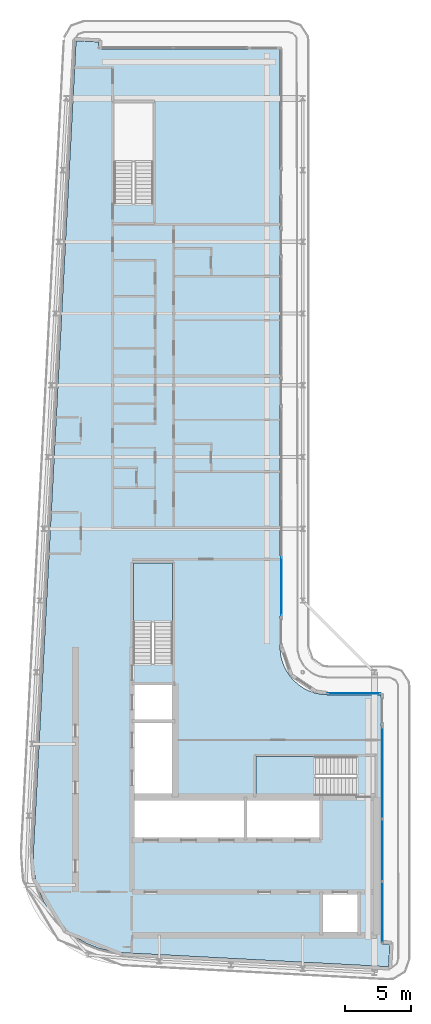
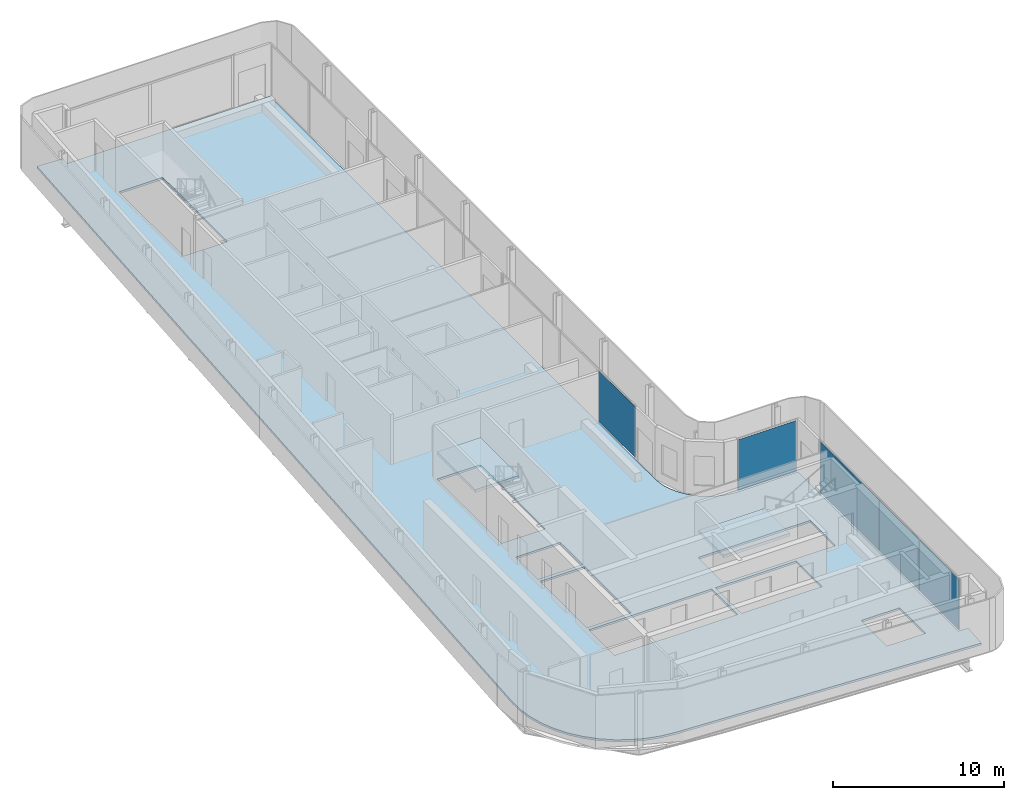
# One storey, part 7 of 19: 5 plates, 3 slabs, 6 elements without a shape of their own.
"""IFC4 building model written with IfcOpenShell, lengths in metres."""

from ifc_helpers import new_model, si_unit, direction, frame, origin, origin_2d, place, context, subcontext, project, spatial, polyline, rectangle, outline, extrude, material, layer, layer_set, type_object, element, aggregate, save


model = new_model("IFC4")

# Units and contexts
model_context = context("Model", 3, precision=1e-05, world=origin(), true_north=direction((0.0, 1.0)))
body_context = subcontext(model_context, "Body", "Model", "MODEL_VIEW")
ifc_project = project(units=[si_unit("LENGTHUNIT", "METRE"), si_unit("AREAUNIT", "SQUARE_METRE"), si_unit("VOLUMEUNIT", "CUBIC_METRE"), si_unit("PLANEANGLEUNIT", "RADIAN"), si_unit("MASSUNIT", "GRAM", prefix="KILO")], contexts=[model_context])

# Site, building, storey
site_placement = place(None, origin())
site = spatial("IfcSite", under=ifc_project, at=site_placement, CompositionType="ELEMENT")
building_placement = place(site_placement, origin())
building = spatial("IfcBuilding", under=site, at=building_placement, Name="Kheshtan School and Residences Tower", CompositionType="ELEMENT")
storey_placement = place(building_placement, frame((0.0, 0.0, 350.0)))
storey = spatial("IfcBuildingStorey", under=building, at=storey_placement, Name="L82", CompositionType="ELEMENT", Elevation=350.0)

# Curtain wall, plate
ifc_material_1 = material(Name="Clear low-e glass in thermally broken aluminium frame", Category="aluminium")
ifc_layer_1 = layer(ifc_material_1, 0.199951171875)
ifc_layer_set_1 = layer_set([ifc_layer_1], Name="Curtain wall CW-B")
curtain_wall_type_1 = type_object("IfcCurtainWallType", Name="Curtain wall CW-B", PredefinedType="NOTDEFINED", material=ifc_layer_set_1)
curtain_wall_1_placement = place(storey_placement, origin())
curtain_wall_1 = element("IfcCurtainWall", 1, at=curtain_wall_1_placement, inside=storey, type_object=curtain_wall_type_1, Name="Curtain wall CWB8", PredefinedType="NOTDEFINED")
ifc_layer_2 = layer(ifc_material_1, 0.031982421875)
ifc_layer_set_2 = layer_set([ifc_layer_2], Name="CW-B glass panel")
plate_type_1 = type_object("IfcPlateType", Name="CW-B glass panel", PredefinedType="CURTAIN_PANEL", material=ifc_layer_set_2)
plate_1_placement = place(storey_placement, frame((51.465087890625, 44.0, 0.0), z_axis=(0.0, 0.0, 1.0), x_axis=(1.0, 0.0, 0.0)))
plate_1 = element("IfcPlate", 2, at=plate_1_placement, type_object=plate_type_1, Name="CWB8 panel 1.1", PredefinedType="CURTAIN_PANEL", context=body_context, shape_type="SweptSolid", body=[
    extrude(rectangle(XDim=3.949951171875, YDim=0.031982421875, at=origin_2d()), origin(), (0.0, 0.0, 1.0), 3.6298828125),
])
aggregate(curtain_wall_1, [plate_1])

ifc_layer_3 = layer(ifc_material_1, 0.199951171875)
ifc_layer_set_3 = layer_set([ifc_layer_3], Name="Curtain wall CW-L")
curtain_wall_type_2 = type_object("IfcCurtainWallType", Name="Curtain wall CW-L", PredefinedType="NOTDEFINED", material=ifc_layer_set_3)
curtain_wall_2_placement = place(storey_placement, origin())
curtain_wall_2 = element("IfcCurtainWall", 3, at=curtain_wall_2_placement, inside=storey, type_object=curtain_wall_type_2, Name="Curtain wall CWL4b", PredefinedType="NOTDEFINED")
ifc_layer_4 = layer(ifc_material_1, 0.031982421875)
ifc_layer_set_4 = layer_set([ifc_layer_4], Name="CW-L glass panel")
plate_type_2 = type_object("IfcPlateType", Name="CW-L glass panel", PredefinedType="CURTAIN_PANEL", material=ifc_layer_set_4)
plate_2_placement = place(storey_placement, frame((46.0, 52.061767578125, 0.0), z_axis=(0.0, 0.0, 1.0), x_axis=(0.0, -1.0, 0.0)))
plate_2 = element("IfcPlate", 4, at=plate_2_placement, type_object=plate_type_2, Name="CWL4b panel 2.1", PredefinedType="CURTAIN_PANEL", context=body_context, shape_type="SweptSolid", body=[
    extrude(rectangle(XDim=4.34375, YDim=0.031982421875, at=origin_2d()), origin(), (0.0, 0.0, 1.0), 3.6298828125),
])
aggregate(curtain_wall_2, [plate_2])

curtain_wall_3_placement = place(storey_placement, origin())
curtain_wall_3 = element("IfcCurtainWall", 5, at=curtain_wall_3_placement, inside=storey, type_object=curtain_wall_type_2, Name="Curtain wall CWL9e", PredefinedType="NOTDEFINED")
plate_3_placement = place(storey_placement, frame((53.60009765625, 38.013916015625, 0.0), z_axis=(0.0, 0.0, 1.0), x_axis=(0.0, -1.0, 0.0)))
plate_3 = element("IfcPlate", 6, at=plate_3_placement, type_object=plate_type_2, Name="CWL9e panel 1.1", PredefinedType="CURTAIN_PANEL", context=body_context, shape_type="SweptSolid", body=[
    extrude(rectangle(XDim=6.85205078125, YDim=0.031982421875, at=origin_2d()), origin(), (0.0, 0.0, 1.0), 3.6298828125),
])
aggregate(curtain_wall_3, [plate_3])

# Curtain wall, plates
curtain_wall_4_placement = place(storey_placement, origin())
curtain_wall_4 = element("IfcCurtainWall", 7, at=curtain_wall_4_placement, inside=storey, type_object=curtain_wall_type_2, Name="Curtain wall CWL9d", PredefinedType="NOTDEFINED")
plate_4_placement = place(storey_placement, frame((53.60009765625, 32.199951171875, 0.0), z_axis=(0.0, 0.0, 1.0), x_axis=(0.0, -1.0, 0.0)))
plate_4 = element("IfcPlate", 8, at=plate_4_placement, type_object=plate_type_2, Name="CWL9d panel 1.1", PredefinedType="CURTAIN_PANEL", context=body_context, shape_type="SweptSolid", body=[
    extrude(rectangle(XDim=4.656005859375, YDim=0.031982421875, at=origin_2d()), origin(), (0.0, 0.0, 1.0), 3.6298828125),
])
plate_5_placement = place(storey_placement, frame((53.60009765625, 27.513916015625, 0.0), z_axis=(0.0, 0.0, 1.0), x_axis=(0.0, -1.0, 0.0)))
plate_5 = element("IfcPlate", 9, at=plate_5_placement, type_object=plate_type_2, Name="CWL9d panel 2.1", PredefinedType="CURTAIN_PANEL", context=body_context, shape_type="SweptSolid", body=[
    extrude(rectangle(XDim=4.595947265625, YDim=0.031982421875, at=origin_2d()), origin(), (0.0, 0.0, 1.0), 3.6298828125),
])
aggregate(curtain_wall_4, [plate_4, plate_5])

# Slab
ifc_material_2 = material(Name="Concrete C40/50", Category="concrete")
ifc_layer_5 = layer(ifc_material_2, 0.14990234375)
ifc_layer_set_5 = layer_set([ifc_layer_5], Name="Floor slab 150 Concrete C40/50")
slab_type_1 = type_object("IfcSlabType", Name="Floor slab 150 Concrete C40/50", PredefinedType="FLOOR", material=ifc_layer_set_5)
slab_1_placement = place(storey_placement, frame((0.0, 0.0, -0.14990234375)))
element("IfcSlab", 10, at=slab_1_placement, inside=storey, type_object=slab_type_1, Name="Floor slab L82", PredefinedType="FLOOR", context=body_context, shape_type="SweptSolid", body=[
    extrude(outline(polyline([(28.55908203125, 27.550048828125), (28.0849609375, 28.345947265625), (27.718017578125, 29.200927734375), (27.466064453125, 30.093017578125), (27.466064453125, 30.093994140625), (27.3330078125, 31.013916015625), (27.320068359375, 31.965087890625), (27.320068359375, 31.970947265625), (30.5380859375, 93.10107421875), (30.5390625, 93.10791015625), (30.5419921875, 93.131103515625), (30.5419921875, 93.132080078125), (30.54296875, 93.132080078125), (31.137939453125, 93.10009765625), (31.138916015625, 93.10009765625), (31.138916015625, 93.09912109375), (31.138916015625, 93.094970703125), (31.138916015625, 93.093994140625), (31.139892578125, 93.093994140625), (31.139892578125, 93.093017578125), (31.14111328125, 93.093017578125), (31.14208984375, 93.093017578125), (31.14208984375, 93.093994140625), (31.14404296875, 93.095947265625), (31.14501953125, 93.096923828125), (31.14599609375, 93.097900390625), (31.14697265625, 93.097900390625), (31.14697265625, 93.09912109375), (31.14794921875, 93.09912109375), (31.14794921875, 93.10009765625), (31.14892578125, 93.10009765625), (31.152099609375, 93.10205078125), (31.155029296875, 93.10205078125), (31.156005859375, 93.10205078125), (31.156005859375, 93.10302734375), (31.156982421875, 93.10302734375), (31.162109375, 93.10302734375), (32.217041015625, 93.047119140625), (32.219970703125, 93.047119140625), (32.220947265625, 93.047119140625), (32.220947265625, 93.0458984375), (32.221923828125, 93.0458984375), (32.22607421875, 93.0458984375), (32.22607421875, 93.044921875), (32.22705078125, 93.044921875), (32.22705078125, 93.0439453125), (32.22802734375, 93.0439453125), (32.22802734375, 93.04296875), (32.22900390625, 93.04296875), (32.22998046875, 93.04296875), (32.22998046875, 93.0419921875), (32.23095703125, 93.0419921875), (32.23193359375, 93.0419921875), (32.23193359375, 93.041015625), (32.23388671875, 93.0390625), (32.235107421875, 93.0390625), (32.235107421875, 93.0380859375), (32.235107421875, 93.037109375), (32.236083984375, 93.037109375), (32.236083984375, 93.035888671875), (32.237060546875, 93.035888671875), (32.237060546875, 93.033935546875), (32.237060546875, 93.032958984375), (32.238037109375, 93.032958984375), (32.238037109375, 93.031982421875), (32.239013671875, 93.031982421875), (32.239013671875, 93.031005859375), (32.239013671875, 93.029052734375), (32.239013671875, 93.028076171875), (32.239990234375, 93.028076171875), (32.239990234375, 93.027099609375), (32.239990234375, 93.02197265625), (32.212890625, 92.52099609375), (32.212890625, 92.51806640625), (32.212890625, 92.51708984375), (32.2119140625, 92.51708984375), (32.2119140625, 92.51611328125), (32.2119140625, 92.511962890625), (32.2109375, 92.510009765625), (32.2099609375, 92.510009765625), (32.2099609375, 92.509033203125), (32.208984375, 92.509033203125), (32.208984375, 92.508056640625), (32.2080078125, 92.507080078125), (32.2060546875, 92.5048828125), (32.205078125, 92.50390625), (32.2041015625, 92.50390625), (32.2041015625, 92.5029296875), (32.2041015625, 92.501953125), (32.2041015625, 92.5009765625), (32.205078125, 92.5009765625), (32.205078125, 92.5), (32.2060546875, 92.5), (45.85498046875, 92.5), (45.860107421875, 92.4990234375), (45.864990234375, 92.498046875), (45.865966796875, 92.498046875), (45.868896484375, 92.49609375), (45.8740234375, 92.493896484375), (45.8779296875, 92.491943359375), (45.881103515625, 92.489990234375), (45.881103515625, 92.489013671875), (45.882080078125, 92.489013671875), (45.882080078125, 92.488037109375), (45.883056640625, 92.488037109375), (45.884033203125, 92.485107421875), (45.885009765625, 92.485107421875), (45.885009765625, 92.48388671875), (45.887939453125, 92.48291015625), (45.887939453125, 92.48193359375), (45.888916015625, 92.48193359375), (45.888916015625, 92.48095703125), (45.889892578125, 92.48095703125), (45.89208984375, 92.47802734375), (45.89404296875, 92.47412109375), (45.89599609375, 92.468994140625), (45.89794921875, 92.466064453125), (45.89794921875, 92.465087890625), (45.89892578125, 92.4599609375), (45.89990234375, 92.455078125), (45.89990234375, 47.429931640625), (45.927001953125, 47.030029296875), (46.01806640625, 46.570068359375), (46.01806640625, 46.569091796875), (46.169921875, 46.1201171875), (46.37890625, 45.697021484375), (46.638916015625, 45.30810546875), (46.949951171875, 44.950927734375), (46.950927734375, 44.949951171875), (47.30810546875, 44.638916015625), (47.697021484375, 44.37890625), (48.1201171875, 44.169921875), (48.569091796875, 44.01806640625), (48.570068359375, 44.01806640625), (49.030029296875, 43.927001953125), (49.429931640625, 43.89990234375), (53.455078125, 43.89990234375), (53.465087890625, 43.89794921875), (53.466064453125, 43.89794921875), (53.468994140625, 43.89599609375), (53.47412109375, 43.89404296875), (53.47802734375, 43.89208984375), (53.48095703125, 43.889892578125), (53.48095703125, 43.888916015625), (53.48193359375, 43.888916015625), (53.48193359375, 43.887939453125), (53.48291015625, 43.887939453125), (53.48388671875, 43.885009765625), (53.485107421875, 43.885009765625), (53.485107421875, 43.884033203125), (53.488037109375, 43.883056640625), (53.488037109375, 43.882080078125), (53.489013671875, 43.882080078125), (53.489013671875, 43.881103515625), (53.489990234375, 43.881103515625), (53.491943359375, 43.8779296875), (53.493896484375, 43.8740234375), (53.49609375, 43.868896484375), (53.498046875, 43.865966796875), (53.498046875, 43.864990234375), (53.4990234375, 43.860107421875), (53.5, 43.85498046875), (53.5, 25.15087890625), (53.5, 25.14990234375), (53.5009765625, 25.14990234375), (53.5009765625, 25.14892578125), (53.501953125, 25.14892578125), (53.5029296875, 25.14892578125), (53.5029296875, 25.14990234375), (53.506103515625, 25.153076171875), (53.507080078125, 25.154052734375), (53.508056640625, 25.154052734375), (53.508056640625, 25.155029296875), (53.509033203125, 25.155029296875), (53.509033203125, 25.156005859375), (53.512939453125, 25.157958984375), (53.51611328125, 25.157958984375), (53.51708984375, 25.157958984375), (53.51708984375, 25.158935546875), (53.51806640625, 25.158935546875), (53.52294921875, 25.158935546875), (54.137939453125, 25.1259765625), (54.14111328125, 25.1259765625), (54.14208984375, 25.1259765625), (54.14208984375, 25.125), (54.14306640625, 25.125), (54.14697265625, 25.125), (54.14697265625, 25.1240234375), (54.14794921875, 25.1240234375), (54.14794921875, 25.123046875), (54.14892578125, 25.123046875), (54.14892578125, 25.1220703125), (54.14990234375, 25.1220703125), (54.15087890625, 25.1220703125), (54.15087890625, 25.12109375), (54.152099609375, 25.12109375), (54.153076171875, 25.12109375), (54.156005859375, 25.117919921875), (54.156005859375, 25.116943359375), (54.156005859375, 25.115966796875), (54.156982421875, 25.115966796875), (54.156982421875, 25.114990234375), (54.157958984375, 25.114990234375), (54.157958984375, 25.113037109375), (54.157958984375, 25.112060546875), (54.158935546875, 25.112060546875), (54.158935546875, 25.111083984375), (54.159912109375, 25.111083984375), (54.159912109375, 25.110107421875), (54.159912109375, 25.10791015625), (54.159912109375, 25.10693359375), (54.160888671875, 25.10693359375), (54.160888671875, 25.10595703125), (54.160888671875, 25.10107421875), (54.10498046875, 24.0439453125), (54.10498046875, 24.041015625), (54.10498046875, 24.0400390625), (54.10400390625, 24.0400390625), (54.10400390625, 24.0390625), (54.10400390625, 24.034912109375), (54.10302734375, 24.033935546875), (54.10302734375, 24.032958984375), (54.10205078125, 24.032958984375), (54.10205078125, 24.031982421875), (54.10107421875, 24.031982421875), (54.10107421875, 24.031005859375), (54.096923828125, 24.027099609375), (54.095947265625, 24.027099609375), (54.095947265625, 24.02587890625), (54.095947265625, 24.02490234375), (54.095947265625, 24.02392578125), (54.096923828125, 24.02392578125), (54.096923828125, 24.02294921875), (54.097900390625, 24.02294921875), (54.09912109375, 24.02294921875), (54.10009765625, 24.02294921875), (54.10009765625, 24.02197265625), (54.068115234375, 23.427001953125), (54.068115234375, 23.426025390625), (54.06689453125, 23.426025390625), (54.04296875, 23.425048828125), (54.0380859375, 23.425048828125), (34.056884765625, 24.47802734375), (33.114990234375, 24.590087890625), (32.215087890625, 24.819091796875), (32.214111328125, 24.819091796875), (31.35205078125, 25.1630859375), (30.541015625, 25.616943359375), (29.799072265625, 26.1708984375), (29.799072265625, 26.172119140625), (29.798095703125, 26.172119140625), (29.134033203125, 26.820068359375), (29.134033203125, 26.821044921875), (29.133056640625, 26.821044921875), (28.55908203125, 27.550048828125)]), holes=[polyline([(53.5009765625, 24.030029296875), (53.5, 24.030029296875), (53.5, 24.029052734375), (53.5, 24.02490234375), (53.5, 24.02392578125), (53.5009765625, 24.02392578125), (53.5009765625, 24.02294921875), (53.501953125, 24.02294921875), (53.506103515625, 24.02294921875), (53.507080078125, 24.02294921875), (53.507080078125, 24.02392578125), (53.508056640625, 24.02392578125), (53.508056640625, 24.02490234375), (53.508056640625, 24.02587890625), (53.507080078125, 24.02587890625), (53.50390625, 24.029052734375), (53.5029296875, 24.030029296875), (53.5029296875, 24.031005859375), (53.501953125, 24.031005859375), (53.5009765625, 24.031005859375), (53.5009765625, 24.030029296875)]), polyline([(31.139892578125, 92.507080078125), (31.138916015625, 92.507080078125), (31.138916015625, 92.506103515625), (31.138916015625, 92.501953125), (31.138916015625, 92.5009765625), (31.139892578125, 92.5009765625), (31.139892578125, 92.5), (31.14111328125, 92.5), (31.14501953125, 92.5), (31.14599609375, 92.5), (31.14599609375, 92.5009765625), (31.14697265625, 92.5009765625), (31.14697265625, 92.501953125), (31.14697265625, 92.5029296875), (31.14599609375, 92.5029296875), (31.14501953125, 92.50390625), (31.14404296875, 92.5048828125), (31.14306640625, 92.506103515625), (31.14208984375, 92.507080078125), (31.14208984375, 92.508056640625), (31.14111328125, 92.508056640625), (31.139892578125, 92.508056640625), (31.139892578125, 92.507080078125)]), polyline([(51.72509765625, 28.925048828125), (49.125, 28.925048828125), (49.125, 25.925048828125), (51.72509765625, 25.925048828125), (51.72509765625, 28.925048828125)]), polyline([(43.175048828125, 33.074951171875), (43.175048828125, 36.074951171875), (34.875, 36.074951171875), (34.875, 33.074951171875), (43.175048828125, 33.074951171875)]), polyline([(43.425048828125, 36.074951171875), (43.425048828125, 33.074951171875), (48.875, 33.074951171875), (48.875, 36.074951171875), (43.425048828125, 36.074951171875)]), polyline([(51.64990234375, 37.699951171875), (51.64990234375, 39.25), (44.090087890625, 39.25), (44.090087890625, 36.300048828125), (51.639892578125, 36.300048828125), (51.639892578125, 37.699951171875), (51.64990234375, 37.699951171875)]), polyline([(37.875, 41.77490234375), (34.875, 41.77490234375), (34.875, 36.324951171875), (37.875, 36.324951171875), (37.875, 41.77490234375)]), polyline([(37.875, 44.625), (34.875, 44.625), (34.875, 42.02490234375), (37.875, 42.02490234375), (37.875, 44.625)]), polyline([(37.800048828125, 53.81005859375), (34.85009765625, 53.81005859375), (34.85009765625, 46.260009765625), (36.25, 46.260009765625), (36.25, 46.25), (37.800048828125, 46.25), (37.800048828125, 53.81005859375)]), polyline([(36.35009765625, 88.4599609375), (33.39990234375, 88.4599609375), (33.39990234375, 80.909912109375), (34.800048828125, 80.909912109375), (34.800048828125, 80.89990234375), (36.35009765625, 80.89990234375), (36.35009765625, 88.4599609375)])]), origin(), (0.0, 0.0, 1.0), 0.14990234375),
])

# Stair, slab
stair_type = type_object("IfcStairType", Name="Exit stair, half-turn", PredefinedType="HALF_TURN_STAIR", material=ifc_material_2)
stair_1_placement = place(storey_placement, origin())
stair_1 = element("IfcStair", 11, at=stair_1_placement, inside=storey, type_object=stair_type, Name="L82 Protected Exit Stair ST1", PredefinedType="HALF_TURN_STAIR")
ifc_layer_6 = layer(ifc_material_2, 0.199951171875)
ifc_layer_set_6 = layer_set([ifc_layer_6], Name="Stair landing 200 Concrete C40/50")
slab_type_2 = type_object("IfcSlabType", Name="Stair landing 200 Concrete C40/50", PredefinedType="LANDING", material=ifc_layer_set_6)
slab_2_placement = place(storey_placement, frame((0.0, 0.0, 1.75)))
slab_2 = element("IfcSlab", 12, at=slab_2_placement, type_object=slab_type_2, Name="ST1 landing 1", PredefinedType="LANDING", context=body_context, shape_type="SweptSolid", body=[
    extrude(outline(polyline([(48.570068359375, 39.25), (44.090087890625, 39.25), (44.090087890625, 36.300048828125), (48.570068359375, 36.300048828125), (48.570068359375, 39.25)])), origin(), (0.0, 0.0, 1.0), 0.199951171875),
])
aggregate(stair_1, [slab_2])

stair_2_placement = place(storey_placement, origin())
stair_2 = element("IfcStair", 13, at=stair_2_placement, inside=storey, type_object=stair_type, Name="L82 Protected Exit Stair ST2", PredefinedType="HALF_TURN_STAIR")
slab_3_placement = place(storey_placement, frame((0.0, 0.0, 1.75)))
slab_3 = element("IfcSlab", 14, at=slab_3_placement, type_object=slab_type_2, Name="ST2 landing 1", PredefinedType="LANDING", context=body_context, shape_type="SweptSolid", body=[
    extrude(outline(polyline([(37.800048828125, 49.330078125), (37.800048828125, 53.81005859375), (34.85009765625, 53.81005859375), (34.85009765625, 49.330078125), (37.800048828125, 49.330078125)])), origin(), (0.0, 0.0, 1.0), 0.199951171875),
])
aggregate(stair_2, [slab_3])

save(model, "model.ifc")
